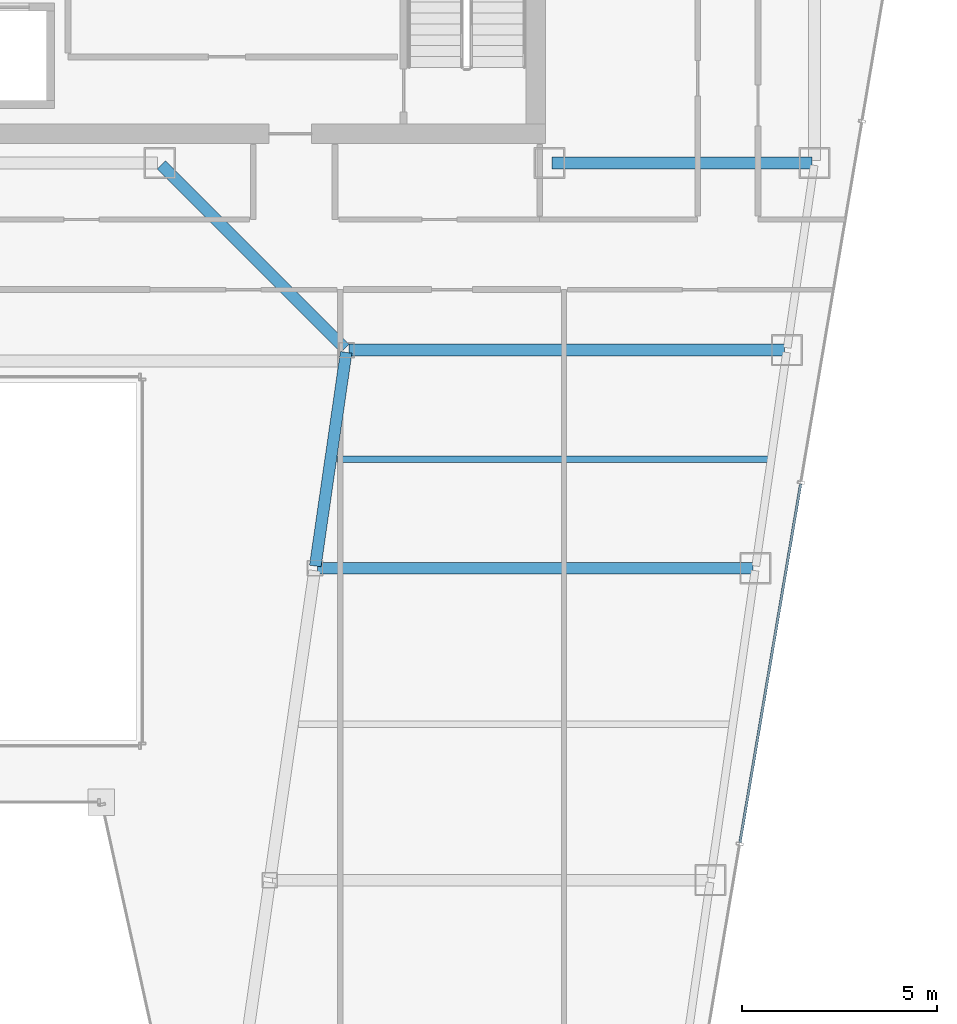
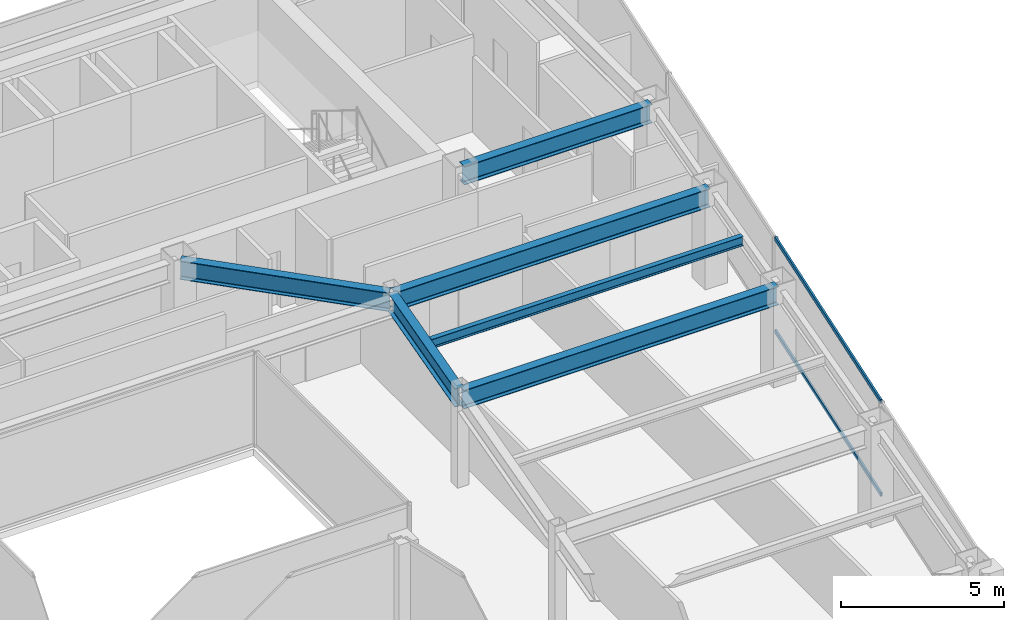
# One storey, part 21 of 36: 6 beams, 2 members, 1 element without a shape of its own.
"""IFC4 building model written with IfcOpenShell, lengths in metres."""

from ifc_helpers import new_model, si_unit, direction, frame, origin, origin_2d, place, context, subcontext, project, spatial, hollow_rectangle, i_section, extrude, material, material_profile, profile_set, type_object, element, aggregate, save


model = new_model("IFC4")

# Units and contexts
model_context = context("Model", 3, precision=1e-05, world=origin(), true_north=direction((0.0, 1.0)))
body_context = subcontext(model_context, "Body", "Model", "MODEL_VIEW")
ifc_project = project(units=[si_unit("LENGTHUNIT", "METRE"), si_unit("AREAUNIT", "SQUARE_METRE"), si_unit("VOLUMEUNIT", "CUBIC_METRE"), si_unit("PLANEANGLEUNIT", "RADIAN"), si_unit("MASSUNIT", "GRAM", prefix="KILO")], contexts=[model_context])

# Site, building, storey
site_placement = place(None, origin())
site = spatial("IfcSite", under=ifc_project, at=site_placement, CompositionType="ELEMENT")
building_placement = place(site_placement, origin())
building = spatial("IfcBuilding", under=site, at=building_placement, Name="Saevonmaru Cultural Tower", CompositionType="ELEMENT")
storey_placement = place(building_placement, frame((0.0, 0.0, 182.800048828125)))
storey = spatial("IfcBuildingStorey", under=building, at=storey_placement, Name="L41", CompositionType="ELEMENT", Elevation=182.800048828125)

# Beams
ifc_material_1 = material(Name="Steel SM355", Category="steel")
ifc_material_profile_1 = material_profile(ifc_material_1, i_section(OverallWidth=0.300048828125, OverallDepth=0.699951171875, WebThickness=0.012939453125, FlangeThickness=0.02392578125, FilletRadius=0.02587890625, at=origin_2d()), Name="H-700x300x13x24")
ifc_profile_set_1 = profile_set([ifc_material_profile_1], Name="Steel SM355")
beam_type_1 = type_object("IfcBeamType", Name="BM-G-H700", PredefinedType="BEAM", material=ifc_profile_set_1)
beam_1_placement = place(storey_placement, frame((46.4599609375, 42.39990234375, 3.199951171875), z_axis=(1.0, 0.0, 0.0), x_axis=(0.0, 1.0, 0.0)))
element("IfcBeam", 1, at=beam_1_placement, inside=storey, type_object=beam_type_1, Name="L41 Core South Girder 5", PredefinedType="BEAM", context=body_context, shape_type="SweptSolid", body=[
    extrude(i_section(OverallWidth=0.300048828125, OverallDepth=0.699951171875, WebThickness=0.012939453125, FlangeThickness=0.02392578125, FilletRadius=0.02587890625, at=origin_2d()), origin(), (0.0, 0.0, 1.0), 6.679931640625),
])
beam_2_placement = place(storey_placement, frame((40.3916015625, 32.059326171875, 3.199951171875), z_axis=(0.142964121327, 0.989727871697, 0.0), x_axis=(-0.989727871697, 0.142964121327, 0.0)))
element("IfcBeam", 2, at=beam_2_placement, inside=storey, type_object=beam_type_1, Name="L41 East Atrium Girder 3", PredefinedType="BEAM", context=body_context, shape_type="SweptSolid", body=[
    extrude(i_section(OverallWidth=0.300048828125, OverallDepth=0.699951171875, WebThickness=0.012939453125, FlangeThickness=0.02392578125, FilletRadius=0.02587890625, at=origin_2d()), origin(), (0.0, 0.0, 1.0), 5.5380859375),
])
beam_3_placement = place(storey_placement, frame((41.149658203125, 37.642578125, 3.199951171875), z_axis=(-0.706538566564, 0.707674539572, 0.0), x_axis=(-0.707674539572, -0.706538566564, 0.0)))
element("IfcBeam", 3, at=beam_3_placement, inside=storey, type_object=beam_type_1, Name="L41 East Atrium Girder 4", PredefinedType="BEAM", context=body_context, shape_type="SweptSolid", body=[
    extrude(i_section(OverallWidth=0.300048828125, OverallDepth=0.699951171875, WebThickness=0.012939453125, FlangeThickness=0.02392578125, FilletRadius=0.02587890625, at=origin_2d()), origin(), (0.0, 0.0, 1.0), 6.662353515625),
])
for number, where, z_axis, x_axis, name in (
    (4, (40.443115234375, 32.0, 3.199951171875), (1.0, 0.0, 0.0), (0.0, 1.0, 0.0), "L41 East Wing Transverse Girder 3"),
    (5, (41.251953125, 37.60009765625, 3.199951171875), (1.0, 0.0, 0.0), (0.0, 1.0, 0.0), "L41 East Wing Transverse Girder 4"),
):
    element("IfcBeam", number, at=place(storey_placement, frame(where, z_axis=z_axis, x_axis=x_axis)), inside=storey, type_object=beam_type_1, Name=name, PredefinedType="BEAM", context=body_context, shape_type="SweptSolid", body=[
        extrude(i_section(OverallWidth=0.300048828125, OverallDepth=0.699951171875, WebThickness=0.012939453125, FlangeThickness=0.02392578125, FilletRadius=0.02587890625, at=origin_2d()), origin(), (0.0, 0.0, 1.0), 11.179931640625),
    ])
ifc_material_profile_2 = material_profile(ifc_material_1, i_section(OverallWidth=0.175048828125, OverallDepth=0.35009765625, WebThickness=0.007080078125, FlangeThickness=0.010986328125, FilletRadius=0.012939453125, at=origin_2d()), Name="H-350x175x7x11")
ifc_profile_set_2 = profile_set([ifc_material_profile_2], Name="Steel SM355")
beam_type_2 = type_object("IfcBeamType", Name="BM-J-H350", PredefinedType="JOIST", material=ifc_profile_set_2)
beam_4_placement = place(storey_placement, frame((40.945556640625, 34.800048828125, 3.375), z_axis=(1.0, 0.0, 0.0), x_axis=(0.0, 1.0, 0.0)))
element("IfcBeam", 6, at=beam_4_placement, inside=storey, type_object=beam_type_2, Name="L41 East Wing Floor Joist 3", PredefinedType="JOIST", context=body_context, shape_type="SweptSolid", body=[
    extrude(i_section(OverallWidth=0.175048828125, OverallDepth=0.35009765625, WebThickness=0.007080078125, FlangeThickness=0.010986328125, FilletRadius=0.012939453125, at=origin_2d()), origin(), (0.0, 0.0, 1.0), 11.08203125),
])

# Curtain wall, members
ifc_material_2 = material(Name="Satin Bronze Anodised Aluminium", Category="aluminium")
curtain_wall_type = type_object("IfcCurtainWallType", Name="CW-TYP-B", PredefinedType="NOTDEFINED", material=ifc_material_2)
curtain_wall_placement = place(storey_placement, origin())
curtain_wall = element("IfcCurtainWall", 7, at=curtain_wall_placement, inside=storey, type_object=curtain_wall_type, Name="L41 Unitised Curtain Wall E8", PredefinedType="NOTDEFINED")
ifc_material_profile_3 = material_profile(ifc_material_2, hollow_rectangle(XDim=0.06494140625, YDim=0.14990234375, WallThickness=0.00390625, at=origin_2d()), Name="ALU-TRAN-150x65x4")
ifc_profile_set_3 = profile_set([ifc_material_profile_3], Name="Satin Bronze Anodised Aluminium")
member_type = type_object("IfcMemberType", Name="TR-CW-150x65", PredefinedType="USERDEFINED", material=ifc_profile_set_3)
member_1_placement = place(storey_placement, frame((51.287109375, 24.961669921875, 0.032470703125), z_axis=(0.166921263871, 0.985970228591, 0.0), x_axis=(-0.985970228591, 0.166921263871, 0.0)))
member_1 = element("IfcMember", 8, at=member_1_placement, type_object=member_type, Name="CW-TW-L41-E8 transom 2.1", ObjectType="TRANSOM", PredefinedType="USERDEFINED", context=body_context, shape_type="SweptSolid", body=[
    extrude(hollow_rectangle(XDim=0.06494140625, YDim=0.14990234375, WallThickness=0.00390625, at=origin_2d()), origin(), (0.0, 0.0, 1.0), 9.33740234375),
])
member_2_placement = place(storey_placement, frame((51.287109375, 24.961669921875, 3.517333984375), z_axis=(0.166921263871, 0.985970228591, 0.0), x_axis=(-0.985970228591, 0.166921263871, 0.0)))
member_2 = element("IfcMember", 9, at=member_2_placement, type_object=member_type, Name="CW-TW-L41-E8 transom 2.2", ObjectType="TRANSOM", PredefinedType="USERDEFINED", context=body_context, shape_type="SweptSolid", body=[
    extrude(hollow_rectangle(XDim=0.06494140625, YDim=0.14990234375, WallThickness=0.00390625, at=origin_2d()), origin(), (0.0, 0.0, 1.0), 9.33740234375),
])
aggregate(curtain_wall, [member_1, member_2])

save(model, "model.ifc")
